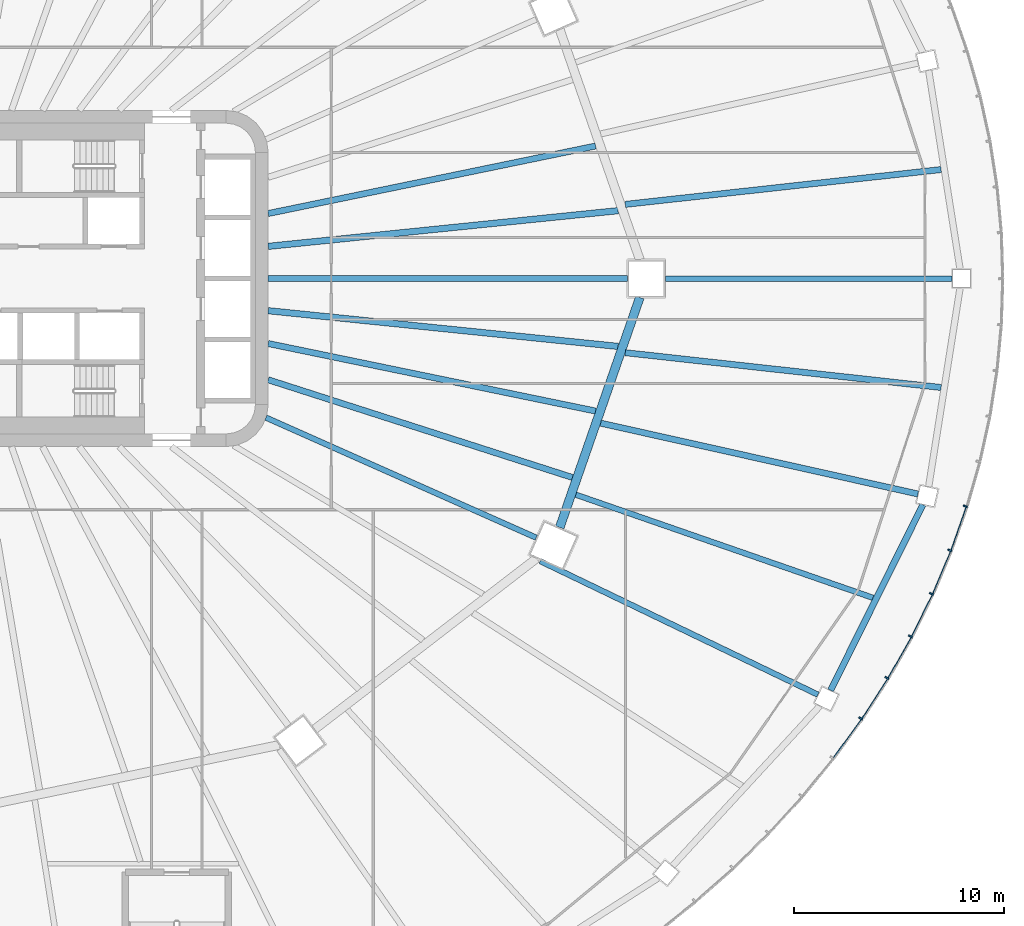
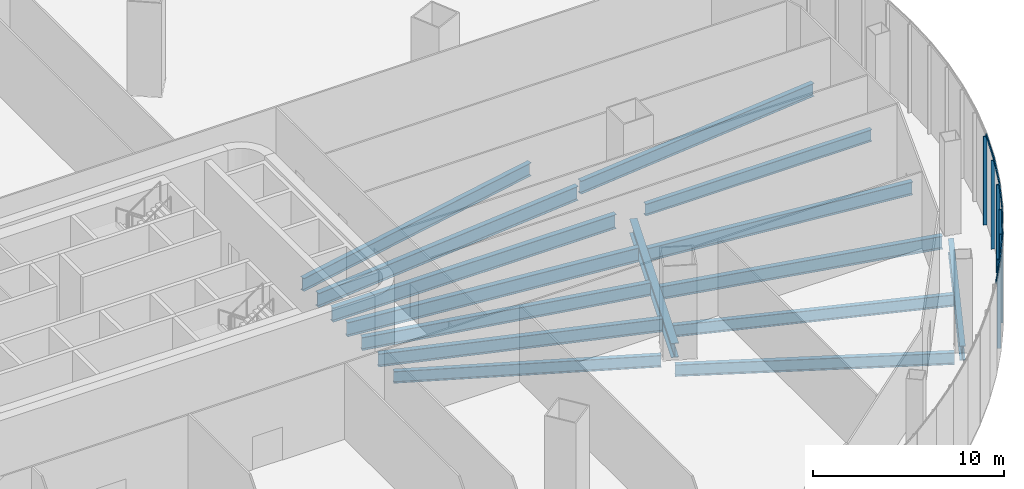
# One storey, part 10 of 37: 15 beams, 12 members, 3 elements without a shape of their own.
"""IFC4 building model written with IfcOpenShell, lengths in metres."""

import ifcopenshell
import ifcopenshell.guid

model = None  # the IFC model being written
_history = None  # IfcOwnerHistory: only IFC2X3 demands one
_inside = {}  # id of a spatial element -> (the spatial element, [elements in it])
_under = {}  # id of a project, library or spatial element -> (it, [spatial elements below it])
_declared = {}  # id of a project -> (the project, [libraries it declares])
_typed = {}  # id of a type object -> (the type object, [elements of that type])
_made_of = {}  # id of a material, layer set ... -> (it, [elements and type objects made of it])


def new_model(schema):
    """Start an empty IFC model of exactly this schema.

    Asked for "IFC4X3", IfcOpenShell would pick the latest addendum, in which some entities
    have other attributes; the version numbers below select the first issue.
    IFC2X3 requires an IfcOwnerHistory on every rooted entity: one is made here for all.
    """
    global model, _history
    if schema == "IFC4X3":
        model = ifcopenshell.file(schema_version=(4, 3, 0, 0))
    else:
        model = ifcopenshell.file(schema=schema)
    _inside.clear()
    _under.clear()
    _declared.clear()
    _typed.clear()
    _made_of.clear()
    _history = None
    if model.schema == "IFC2X3":
        org = make("IfcOrganization", Name="unknown")
        user = make(
            "IfcPersonAndOrganization",
            ThePerson=make("IfcPerson", FamilyName="unknown"),
            TheOrganization=org,
        )
        app = make(
            "IfcApplication",
            ApplicationDeveloper=org,
            Version="unknown",
            ApplicationFullName="unknown",
            ApplicationIdentifier="unknown",
        )
        _history = make(
            "IfcOwnerHistory",
            OwningUser=user,
            OwningApplication=app,
            ChangeAction="ADDED",
            CreationDate=0,
        )
    return model


def make(cls, **values):
    """One entity of the class cls with the attributes given. An attribute that is None is left unset."""
    return model.create_entity(
        cls, **{name: value for name, value in values.items() if value is not None}
    )


def rooted(cls, **values):
    """An entity with a GlobalId (a new one), such as an element, a storey or a relation."""
    return make(cls, GlobalId=ifcopenshell.guid.new(), OwnerHistory=_history, **values)


def si_unit(unit_type, name, prefix=None):
    """IfcSIUnit, for example si_unit("LENGTHUNIT", "METRE", prefix="MILLI")."""
    return make("IfcSIUnit", UnitType=unit_type, Prefix=prefix, Name=name)


def assignment(units):
    """IfcUnitAssignment: the units of a project."""
    return None if units is None else make("IfcUnitAssignment", Units=units)


def point(xyz):
    """IfcCartesianPoint."""
    return None if xyz is None else make("IfcCartesianPoint", Coordinates=xyz)


def direction(xyz):
    """IfcDirection."""
    return None if xyz is None else make("IfcDirection", DirectionRatios=xyz)


def frame(location, z_axis=None, x_axis=None):
    """IfcAxis2Placement3D, a coordinate frame: its origin and axes. An axis left out is left unset."""
    return make(
        "IfcAxis2Placement3D",
        Location=point(location),
        Axis=direction(z_axis),
        RefDirection=direction(x_axis),
    )


def frame_2d(location, x_axis=None):
    """IfcAxis2Placement2D, a coordinate frame in the plane: its origin and x axis."""
    return make(
        "IfcAxis2Placement2D", Location=point(location), RefDirection=direction(x_axis)
    )


def origin():
    """The frame at (0, 0, 0) with its axes left unset."""
    return frame((0.0, 0.0, 0.0))


def origin_2d():
    """The frame at (0, 0) in the plane with its x axis left unset."""
    return frame_2d((0.0, 0.0))


def place(relative_to, where):
    """IfcLocalPlacement: puts the frame where relative to a parent placement (None: the world)."""
    return make(
        "IfcLocalPlacement", PlacementRelTo=relative_to, RelativePlacement=where
    )


def context(
    kind, dimensions, precision=None, world=None, true_north=None, identifier=None
):
    """IfcGeometricRepresentationContext, for example the 3D "Model" context."""
    return make(
        "IfcGeometricRepresentationContext",
        ContextIdentifier=identifier,
        ContextType=kind,
        CoordinateSpaceDimension=dimensions,
        Precision=precision,
        WorldCoordinateSystem=world,
        TrueNorth=true_north,
    )


def subcontext(parent, identifier, kind, view, scale=None):
    """IfcGeometricRepresentationSubContext, for example "Body" below "Model"."""
    return make(
        "IfcGeometricRepresentationSubContext",
        ContextIdentifier=identifier,
        ContextType=kind,
        ParentContext=parent,
        TargetScale=scale,
        TargetView=view,
    )


def project(units=None, contexts=None):
    """IfcProject with its units and contexts."""
    return rooted(
        "IfcProject",
        Name="project",
        RepresentationContexts=contexts,
        UnitsInContext=assignment(units),
    )


def spatial(cls, under=None, at=None, **own):
    """A site, building, storey or space (cls), placed at a placement, below another one or the project."""
    s = rooted(cls, ObjectPlacement=at, **own)
    if under is not None:
        _under.setdefault(under.id(), (under, []))[1].append(s)
    return s


def profile(cls, at=None, kind="AREA", **sizes):
    """A parametric profile (cls). Its sizes go by their IFC names, for example OverallWidth=200.0."""
    return make(cls, ProfileType=kind, Position=at, **sizes)


def rectangle(**sizes):
    """IfcRectangleProfileDef."""
    return profile("IfcRectangleProfileDef", **sizes)


def i_section(**sizes):
    """IfcIShapeProfileDef."""
    return profile("IfcIShapeProfileDef", **sizes)


def extrude(swept, where, along, depth):
    """IfcExtrudedAreaSolid: the profile swept, set in the frame where, extruded along a direction by depth."""
    return make(
        "IfcExtrudedAreaSolid",
        SweptArea=swept,
        Position=where,
        ExtrudedDirection=direction(along),
        Depth=depth,
    )


def shape(context_of_items, identifier, shape_type, items):
    """IfcShapeRepresentation: the items that make up one representation, for example the "Body"."""
    return make(
        "IfcShapeRepresentation",
        ContextOfItems=context_of_items,
        RepresentationIdentifier=identifier,
        RepresentationType=shape_type,
        Items=items,
    )


def material(Name=None, Category=None):
    """IfcMaterial."""
    return make("IfcMaterial", Name=Name, Category=Category)


def layer(
    of_material, thickness, ventilated=None, Name=None, Category=None, Priority=None
):
    """IfcMaterialLayer: one layer of a wall or slab, of a material (None: an air gap)."""
    return make(
        "IfcMaterialLayer",
        Material=of_material,
        LayerThickness=thickness,
        IsVentilated=ventilated,
        Name=Name,
        Category=Category,
        Priority=Priority,
    )


def layer_set(layers, Name=None):
    """IfcMaterialLayerSet."""
    return make("IfcMaterialLayerSet", MaterialLayers=layers, LayerSetName=Name)


def material_profile(
    of_material, cross_section, Name=None, Category=None, Priority=None
):
    """IfcMaterialProfile: a cross section and its material."""
    return make(
        "IfcMaterialProfile",
        Name=Name,
        Material=of_material,
        Profile=cross_section,
        Priority=Priority,
        Category=Category,
    )


def profile_set(profiles, Name=None, composite=None):
    """IfcMaterialProfileSet."""
    return make(
        "IfcMaterialProfileSet",
        Name=Name,
        MaterialProfiles=profiles,
        CompositeProfile=composite,
    )


def made_of(thing, what):
    """Note that an element or type object is made of a material, layer set ...; save() writes the relation."""
    if what is not None:
        _made_of.setdefault(what.id(), (what, []))[1].append(thing)
    return thing


def type_object(cls, material=None, **own):
    """A type object (cls), such as IfcWallType, which elements share."""
    return made_of(rooted(cls, **own), material)


def element(
    cls,
    number,
    at=None,
    inside=None,
    cuts=None,
    type_object=None,
    material=None,
    context=None,
    identifier="Body",
    shape_type=None,
    held_by="IfcProductDefinitionShape",
    body=None,
    shapes=None,
    **own,
):
    """One element of the class cls, such as IfcWall. Its Tag is "e" and its number.

    at: its placement. inside: the storey or other place that contains it. cuts: it is an
    opening in that element (IfcRelVoidsElement). A single representation is given by context,
    identifier, shape_type and body (its items); several are given by shapes. held_by: the class
    of the entity that holds the representations. save() writes the other relations.
    """
    e = rooted(cls, Tag="e%d" % number, ObjectPlacement=at, **own)
    if body is not None:
        shapes = [shape(context, identifier, shape_type, body)]
    if shapes is not None:
        e.Representation = make(held_by, Representations=shapes)
    if inside is not None:
        _inside.setdefault(inside.id(), (inside, []))[1].append(e)
    if cuts is not None:
        rooted(
            "IfcRelVoidsElement", RelatingBuildingElement=cuts, RelatedOpeningElement=e
        )
    if type_object is not None:
        _typed.setdefault(type_object.id(), (type_object, []))[1].append(e)
    return made_of(e, material)


def aggregate(whole, parts):
    """IfcRelAggregates: a whole, such as a stair, and the parts it consists of."""
    return rooted("IfcRelAggregates", RelatingObject=whole, RelatedObjects=parts)


def save(model, path):
    """Write the relations noted so far, then the file.

    IfcRelAggregates (storeys below a building ...), IfcRelContainedInSpatialStructure (elements
    in a storey), IfcRelDefinesByType, IfcRelAssociatesMaterial and IfcRelDeclares: one each for
    every whole, place, type object, material and project.
    """
    for whole, parts in _under.values():
        aggregate(whole, parts)
    for where, things in _inside.values():
        rooted(
            "IfcRelContainedInSpatialStructure",
            RelatedElements=things,
            RelatingStructure=where,
        )
    for kind, things in _typed.values():
        rooted("IfcRelDefinesByType", RelatedObjects=things, RelatingType=kind)
    for what, things in _made_of.values():
        rooted("IfcRelAssociatesMaterial", RelatedObjects=things, RelatingMaterial=what)
    for by, libraries in _declared.values():
        rooted("IfcRelDeclares", RelatingContext=by, RelatedDefinitions=libraries)
    model.write(path)


model = new_model("IFC4")

# Units and contexts
model_context = context("Model", 3, precision=1e-05, world=origin(), true_north=direction((0.0, 1.0)))
body_context = subcontext(model_context, "Body", "Model", "MODEL_VIEW")
ifc_project = project(units=[si_unit("LENGTHUNIT", "METRE"), si_unit("AREAUNIT", "SQUARE_METRE"), si_unit("VOLUMEUNIT", "CUBIC_METRE"), si_unit("PLANEANGLEUNIT", "RADIAN"), si_unit("MASSUNIT", "GRAM", prefix="KILO")], contexts=[model_context])

# Site, building, storey
site_placement = place(None, origin())
site = spatial("IfcSite", under=ifc_project, at=site_placement, CompositionType="ELEMENT")
building_placement = place(site_placement, origin())
building = spatial("IfcBuilding", under=site, at=building_placement, Name="Sahrelin Media Tower", CompositionType="ELEMENT")
storey_placement = place(building_placement, frame((0.0, 0.0, 31.39990234375)))
storey = spatial("IfcBuildingStorey", under=building, at=storey_placement, Name="L04", CompositionType="ELEMENT", Elevation=31.39990234375)

# Curtain wall, members
ifc_material_1 = material(Name="Champagne anodised aluminium 6063-T6", Category="aluminium")
ifc_layer = layer(ifc_material_1, 0.14990234375)
ifc_layer_set = layer_set([ifc_layer], Name="Podium ribbon curtain wall")
curtain_wall_type = type_object("IfcCurtainWallType", Name="Podium ribbon curtain wall", PredefinedType="NOTDEFINED", material=ifc_layer_set)
curtain_wall_1_placement = place(storey_placement, frame((43.30126953125, -21.0, 0.0), z_axis=(0.0, 0.0, 1.0), x_axis=(1.0, 0.0, 0.0)))
curtain_wall_1 = element("IfcCurtainWall", 1, at=curtain_wall_1_placement, inside=storey, type_object=curtain_wall_type, Name="L04:CW:L04-P22", PredefinedType="NOTDEFINED")
ifc_material_profile_1 = material_profile(ifc_material_1, rectangle(XDim=0.080078125, YDim=0.199951171875, at=origin_2d()), Name="Mullion 80x200")
ifc_profile_set_1 = profile_set([ifc_material_profile_1], Name="Champagne anodised aluminium 6063-T6")
member_type_1 = type_object("IfcMemberType", Name="Mullion 80x200 CW5", PredefinedType="MULLION", material=ifc_profile_set_1)
member_1_placement = place(storey_placement, frame((43.200439453125, -20.934814453125, 0.0), z_axis=(0.0, 0.0, 1.0), x_axis=(0.542830032192, 0.839842578196, 0.0)))
member_1 = element("IfcMember", 2, at=member_1_placement, type_object=member_type_1, Name="L04:CWM1:L04-P22", PredefinedType="MULLION", context=body_context, shape_type="SweptSolid", body=[
    extrude(rectangle(XDim=0.080078125, YDim=0.199951171875, at=origin_2d()), origin(), (0.0, 0.0, 1.0), 5.650146484375),
])
member_2_placement = place(storey_placement, frame((44.446044921875, -19.00830078125, 0.0), z_axis=(0.0, 0.0, 1.0), x_axis=(0.493787068155, 0.869582849028, 0.0)))
member_2 = element("IfcMember", 3, at=member_2_placement, type_object=member_type_1, Name="L04:CWM2:L04-P22", PredefinedType="MULLION", context=body_context, shape_type="SweptSolid", body=[
    extrude(rectangle(XDim=0.080078125, YDim=0.199951171875, at=origin_2d()), origin(), (0.0, 0.0, 1.0), 5.650146484375),
])
member_3_placement = place(storey_placement, frame((45.569580078125, -17.02978515625, 0.0), z_axis=(0.0, 0.0, 1.0), x_axis=(0.442262079274, 0.896885864108, 0.0)))
member_3 = element("IfcMember", 4, at=member_3_placement, type_object=member_type_1, Name="L04:CWM3:L04-P22", PredefinedType="MULLION", context=body_context, shape_type="SweptSolid", body=[
    extrude(rectangle(XDim=0.080078125, YDim=0.199951171875, at=origin_2d()), origin(), (0.0, 0.0, 1.0), 5.650146484375),
])
member_4_placement = place(storey_placement, frame((46.568359375, -15.0048828125, 0.0), z_axis=(0.0, 0.0, 1.0), x_axis=(0.388450189752, 0.921469722824, 0.0)))
member_4 = element("IfcMember", 5, at=member_4_placement, type_object=member_type_1, Name="L04:CWM4:L04-P22", PredefinedType="MULLION", context=body_context, shape_type="SweptSolid", body=[
    extrude(rectangle(XDim=0.080078125, YDim=0.199951171875, at=origin_2d()), origin(), (0.0, 0.0, 1.0), 5.650146484375),
])
member_5_placement = place(storey_placement, frame((47.439697265625, -12.938720703125, 0.0), z_axis=(0.0, 0.0, 1.0), x_axis=(0.332579242691, 0.943075313711, 0.0)))
member_5 = element("IfcMember", 6, at=member_5_placement, type_object=member_type_1, Name="L04:CWM5:L04-P22", PredefinedType="MULLION", context=body_context, shape_type="SweptSolid", body=[
    extrude(rectangle(XDim=0.080078125, YDim=0.199951171875, at=origin_2d()), origin(), (0.0, 0.0, 1.0), 5.650146484375),
])

# Curtain wall, member
curtain_wall_2_placement = place(storey_placement, frame((48.29638671875, -10.870361328125, 0.0), z_axis=(0.0, 0.0, 1.0), x_axis=(1.0, 0.0, 0.0)))
curtain_wall_2 = element("IfcCurtainWall", 7, at=curtain_wall_2_placement, inside=storey, type_object=curtain_wall_type, Name="L04:CW:L04-P23", PredefinedType="NOTDEFINED")
member_6_placement = place(storey_placement, frame((48.180908203125, -10.83740234375, 0.0), z_axis=(0.0, 0.0, 1.0), x_axis=(0.274810138831, 0.961498511489, 0.0)))
member_6 = element("IfcMember", 8, at=member_6_placement, type_object=member_type_1, Name="L04:CWM1:L04-P23", PredefinedType="MULLION", context=body_context, shape_type="SweptSolid", body=[
    extrude(rectangle(XDim=0.080078125, YDim=0.199951171875, at=origin_2d()), origin(), (0.0, 0.0, 1.0), 5.650146484375),
])
aggregate(curtain_wall_2, [member_6])

# Beams
ifc_material_2 = material(Name="Steel S355", Category="steel")
ifc_material_profile_2 = material_profile(ifc_material_2, i_section(OverallWidth=0.30322265625, OverallDepth=0.903076171875, WebThickness=0.01513671875, FlangeThickness=0.020263671875, FilletRadius=0.01904296875, at=origin_2d()), Name="UB 914x305x201")
ifc_profile_set_2 = profile_set([ifc_material_profile_2], Name="Steel S355")
beam_type_1 = type_object("IfcBeamType", Name="Podium edge girder PE11", PredefinedType="BEAM", material=ifc_profile_set_2)
beam_1_placement = place(storey_placement, frame((41.76953125, -19.596923828125, -0.6513671875), z_axis=(0.445112588569, 0.895474613541, 0.0), x_axis=(-0.895474613541, 0.445112588569, 0.0)))
element("IfcBeam", 9, at=beam_1_placement, inside=storey, type_object=beam_type_1, Name="Podium edge girder L04-23", PredefinedType="BEAM", context=body_context, shape_type="SweptSolid", body=[
    extrude(i_section(OverallWidth=0.30322265625, OverallDepth=0.903076171875, WebThickness=0.01513671875, FlangeThickness=0.020263671875, FilletRadius=0.01904296875, at=origin_2d()), origin(), (0.0, 0.0, 1.0), 9.859619140625),
])
ifc_material_profile_3 = material_profile(ifc_material_2, i_section(OverallWidth=0.41845703125, OverallDepth=0.911865234375, WebThickness=0.019287109375, FlangeThickness=0.031982421875, FilletRadius=0.024169921875, at=origin_2d()), Name="UB 914x419x343")
ifc_profile_set_3 = profile_set([ifc_material_profile_3], Name="Steel S355")
beam_type_2 = type_object("IfcBeamType", Name="Podium ring girder PG12", PredefinedType="BEAM", material=ifc_profile_set_3)
beam_2_placement = place(storey_placement, frame((28.875732421875, -11.84716796875, -0.65576171875), z_axis=(0.328773851324, 0.944408679908, 0.0), x_axis=(-0.944408679908, 0.328773851324, 0.0)))
element("IfcBeam", 10, at=beam_2_placement, inside=storey, type_object=beam_type_2, Name="Podium girder L04-12", PredefinedType="BEAM", context=body_context, shape_type="SweptSolid", body=[
    extrude(i_section(OverallWidth=0.41845703125, OverallDepth=0.911865234375, WebThickness=0.019287109375, FlangeThickness=0.031982421875, FilletRadius=0.024169921875, at=origin_2d()), origin(), (0.0, 0.0, 1.0), 11.591552734375),
])
ifc_material_profile_4 = material_profile(ifc_material_2, i_section(OverallWidth=0.291748046875, OverallDepth=0.8349609375, WebThickness=0.013916015625, FlangeThickness=0.018798828125, FilletRadius=0.017822265625, at=origin_2d()), Name="UB 838x292x176")
ifc_profile_set_4 = profile_set([ifc_material_profile_4], Name="Steel S355")
beam_type_3 = type_object("IfcBeamType", Name="Radial primary beam PB10", PredefinedType="BEAM", material=ifc_profile_set_4)
for number, where, z_axis, x_axis, name in (
    (11, (15.0, 3.093505859375, -0.6171875), (0.979386832716, 0.201993643221, 0.0), (-0.201993643221, 0.979386832716, 0.0), "Radial beam L04-02"),
    (12, (15.0, -3.093505859375, -0.6171875), (0.979386832716, -0.201993643221, 0.0), (0.201993643221, 0.979386832716, 0.0), "Radial beam L04-24"),
):
    element("IfcBeam", number, at=place(storey_placement, frame(where, z_axis=z_axis, x_axis=x_axis)), inside=storey, type_object=beam_type_3, Name=name, PredefinedType="BEAM", context=body_context, shape_type="SweptSolid", body=[
        extrude(i_section(OverallWidth=0.291748046875, OverallDepth=0.8349609375, WebThickness=0.013916015625, FlangeThickness=0.018798828125, FilletRadius=0.017822265625, at=origin_2d()), origin(), (0.0, 0.0, 1.0), 15.91064453125),
    ])
beam_3_placement = place(storey_placement, frame((30.825439453125, -6.883056640625, -0.6171875), z_axis=(0.975966755314, -0.217919463385, 0.0), x_axis=(0.217919463385, 0.975966755314, 0.0)))
element("IfcBeam", 13, at=beam_3_placement, inside=storey, type_object=beam_type_3, Name="Radial beam L04-28", PredefinedType="BEAM", context=body_context, shape_type="SweptSolid", body=[
    extrude(i_section(OverallWidth=0.291748046875, OverallDepth=0.8349609375, WebThickness=0.013916015625, FlangeThickness=0.018798828125, FilletRadius=0.017822265625, at=origin_2d()), origin(), (0.0, 0.0, 1.0), 15.4716796875),
])
ifc_material_profile_5 = material_profile(ifc_material_2, i_section(OverallWidth=0.30322265625, OverallDepth=0.903076171875, WebThickness=0.01513671875, FlangeThickness=0.020263671875, FilletRadius=0.01904296875, at=origin_2d()), Name="UB 914x305x201")
ifc_profile_set_5 = profile_set([ifc_material_profile_5], Name="Steel S355")
beam_type_4 = type_object("IfcBeamType", Name="Radial primary beam PB11", PredefinedType="BEAM", material=ifc_profile_set_5)
beam_4_placement = place(storey_placement, frame((15.0, 0.0, -0.6513671875), z_axis=(1.0, 0.0, 0.0), x_axis=(0.0, 1.0, 0.0)))
element("IfcBeam", 14, at=beam_4_placement, inside=storey, type_object=beam_type_4, Name="Radial beam L04-01", PredefinedType="BEAM", context=body_context, shape_type="SweptSolid", body=[
    extrude(i_section(OverallWidth=0.30322265625, OverallDepth=0.903076171875, WebThickness=0.01513671875, FlangeThickness=0.020263671875, FilletRadius=0.01904296875, at=origin_2d()), origin(), (0.0, 0.0, 1.0), 17.10009765625),
])
ifc_material_profile_6 = material_profile(ifc_material_2, i_section(OverallWidth=0.26513671875, OverallDepth=0.75390625, WebThickness=0.0126953125, FlangeThickness=0.017578125, FilletRadius=0.0166015625, at=origin_2d()), Name="UB 762x267x147")
ifc_profile_set_6 = profile_set([ifc_material_profile_6], Name="Steel S355")
beam_type_5 = type_object("IfcBeamType", Name="Radial primary beam PB9", PredefinedType="BEAM", material=ifc_profile_set_6)
beam_5_placement = place(storey_placement, frame((14.890625, -6.6171875, -0.576904296875), z_axis=(0.913833000058, -0.406090196883, 0.0), x_axis=(0.406090196883, 0.913833000058, 0.0)))
element("IfcBeam", 15, at=beam_5_placement, inside=storey, type_object=beam_type_5, Name="Radial beam L04-23", PredefinedType="BEAM", context=body_context, shape_type="SweptSolid", body=[
    extrude(i_section(OverallWidth=0.26513671875, OverallDepth=0.75390625, WebThickness=0.0126953125, FlangeThickness=0.017578125, FilletRadius=0.0166015625, at=origin_2d()), origin(), (0.0, 0.0, 1.0), 14.078857421875),
])
beam_6_placement = place(storey_placement, frame((33.89990234375, 0.0, -0.576904296875), z_axis=(1.0, 0.0, 0.0), x_axis=(0.0, 1.0, 0.0)))
element("IfcBeam", 16, at=beam_6_placement, inside=storey, type_object=beam_type_5, Name="Radial beam L04-01", PredefinedType="BEAM", context=body_context, shape_type="SweptSolid", body=[
    extrude(i_section(OverallWidth=0.26513671875, OverallDepth=0.75390625, WebThickness=0.0126953125, FlangeThickness=0.017578125, FilletRadius=0.0166015625, at=origin_2d()), origin(), (0.0, 0.0, 1.0), 13.650146484375),
])
beam_7_placement = place(storey_placement, frame((27.950439453125, -13.44775390625, -0.576904296875), z_axis=(0.901130102072, -0.433548773657, 0.0), x_axis=(0.433548773657, 0.901130102072, 0.0)))
element("IfcBeam", 17, at=beam_7_placement, inside=storey, type_object=beam_type_5, Name="Radial beam L04-27", PredefinedType="BEAM", context=body_context, shape_type="SweptSolid", body=[
    extrude(i_section(OverallWidth=0.26513671875, OverallDepth=0.75390625, WebThickness=0.0126953125, FlangeThickness=0.017578125, FilletRadius=0.0166015625, at=origin_2d()), origin(), (0.0, 0.0, 1.0), 14.6630859375),
])
ifc_material_profile_7 = material_profile(ifc_material_2, i_section(OverallWidth=0.291748046875, OverallDepth=0.8349609375, WebThickness=0.013916015625, FlangeThickness=0.018798828125, FilletRadius=0.017822265625, at=origin_2d()), Name="UB 838x292x176")
ifc_profile_set_7 = profile_set([ifc_material_profile_7], Name="Steel S355")
beam_type_6 = type_object("IfcBeamType", Name="Radial secondary beam SB10", PredefinedType="BEAM", material=ifc_profile_set_7)
beam_8_placement = place(storey_placement, frame((15.0, -4.81787109375, -0.6171875), z_axis=(0.952096340592, -0.305798231244, 0.0), x_axis=(0.305798231244, 0.952096340592, 0.0)))
element("IfcBeam", 18, at=beam_8_placement, inside=storey, type_object=beam_type_6, Name="Secondary beam L04-23", PredefinedType="BEAM", context=body_context, shape_type="SweptSolid", body=[
    extrude(i_section(OverallWidth=0.291748046875, OverallDepth=0.8349609375, WebThickness=0.013916015625, FlangeThickness=0.018798828125, FilletRadius=0.017822265625, at=origin_2d()), origin(), (0.0, 0.0, 1.0), 15.210693359375),
])
for number, where, z_axis, x_axis, name in (
    (19, (31.9931640625, 3.528564453125, -0.6171875), (0.993973950123, 0.109616542901, 0.0), (-0.109616542901, 0.993973950123, 0.0), "Secondary beam L04-01"),
    (20, (31.9931640625, -3.528564453125, -0.6171875), (0.993973950123, -0.109616542901, 0.0), (0.109616542901, 0.993973950123, 0.0), "Secondary beam L04-24"),
):
    element("IfcBeam", number, at=place(storey_placement, frame(where, z_axis=z_axis, x_axis=x_axis)), inside=storey, type_object=beam_type_6, Name=name, PredefinedType="BEAM", context=body_context, shape_type="SweptSolid", body=[
        extrude(i_section(OverallWidth=0.291748046875, OverallDepth=0.8349609375, WebThickness=0.013916015625, FlangeThickness=0.018798828125, FilletRadius=0.017822265625, at=origin_2d()), origin(), (0.0, 0.0, 1.0), 15.125),
    ])
ifc_material_profile_8 = material_profile(ifc_material_2, i_section(OverallWidth=0.30322265625, OverallDepth=0.903076171875, WebThickness=0.01513671875, FlangeThickness=0.020263671875, FilletRadius=0.01904296875, at=origin_2d()), Name="UB 914x305x201")
ifc_profile_set_8 = profile_set([ifc_material_profile_8], Name="Steel S355")
beam_type_7 = type_object("IfcBeamType", Name="Radial secondary beam SB11", PredefinedType="BEAM", material=ifc_profile_set_8)
for number, where, z_axis, x_axis, name in (
    (21, (15.0, 1.53076171875, -0.6513671875), (0.994833571419, 0.10151928476, 0.0), (-0.10151928476, 0.994833571419, 0.0), "Secondary beam L04-01"),
    (22, (15.0, -1.53076171875, -0.6513671875), (0.994833571419, -0.10151928476, 0.0), (0.10151928476, 0.994833571419, 0.0), "Secondary beam L04-24"),
):
    element("IfcBeam", number, at=place(storey_placement, frame(where, z_axis=z_axis, x_axis=x_axis)), inside=storey, type_object=beam_type_7, Name=name, PredefinedType="BEAM", context=body_context, shape_type="SweptSolid", body=[
        extrude(i_section(OverallWidth=0.30322265625, OverallDepth=0.903076171875, WebThickness=0.01513671875, FlangeThickness=0.020263671875, FilletRadius=0.01904296875, at=origin_2d()), origin(), (0.0, 0.0, 1.0), 16.740234375),
    ])
ifc_material_profile_9 = material_profile(ifc_material_2, i_section(OverallWidth=0.26513671875, OverallDepth=0.75390625, WebThickness=0.0126953125, FlangeThickness=0.017578125, FilletRadius=0.0166015625, at=origin_2d()), Name="UB 762x267x147")
ifc_profile_set_9 = profile_set([ifc_material_profile_9], Name="Steel S355")
beam_type_8 = type_object("IfcBeamType", Name="Radial secondary beam SB9", PredefinedType="BEAM", material=ifc_profile_set_9)
beam_9_placement = place(storey_placement, frame((29.640380859375, -10.287109375, -0.576904296875), z_axis=(0.944713020182, -0.32789832189, 0.0), x_axis=(0.32789832189, 0.944713020182, 0.0)))
element("IfcBeam", 23, at=beam_9_placement, inside=storey, type_object=beam_type_8, Name="Secondary beam L04-23", PredefinedType="BEAM", context=body_context, shape_type="SweptSolid", body=[
    extrude(i_section(OverallWidth=0.26513671875, OverallDepth=0.75390625, WebThickness=0.0126953125, FlangeThickness=0.017578125, FilletRadius=0.0166015625, at=origin_2d()), origin(), (0.0, 0.0, 1.0), 14.974609375),
])

# Curtain wall, member
curtain_wall_3_placement = place(storey_placement, frame((35.355224609375, -29.698486328125, 0.0), z_axis=(0.0, 0.0, 1.0), x_axis=(1.0, 0.0, 0.0)))
curtain_wall_3 = element("IfcCurtainWall", 24, at=curtain_wall_3_placement, inside=storey, type_object=curtain_wall_type, Name="L04:CW:L04-P21", PredefinedType="NOTDEFINED")
ifc_material_profile_10 = material_profile(ifc_material_1, rectangle(XDim=0.06005859375, YDim=0.14990234375, at=origin_2d()), Name="Transom 60x150")
ifc_profile_set_10 = profile_set([ifc_material_profile_10], Name="Champagne anodised aluminium 6063-T6")
member_type_2 = type_object("IfcMemberType", Name="Transom 60x150 CW5", PredefinedType="USERDEFINED", material=ifc_profile_set_10)
member_7_placement = place(storey_placement, frame((41.922607421875, -22.804931640625, 5.72509765625), z_axis=(0.589385639376, 0.807851823107, 0.0), x_axis=(-0.807851823107, 0.589385639376, 0.0)))
member_7 = element("IfcMember", 25, at=member_7_placement, type_object=member_type_2, Name="L04:CWT5a:L04-P21", ObjectType="TRANSOM", PredefinedType="USERDEFINED", context=body_context, shape_type="SweptSolid", body=[
    extrude(rectangle(XDim=0.06005859375, YDim=0.14990234375, at=origin_2d()), origin(), (0.0, 0.0, 1.0), 2.270751953125),
])
aggregate(curtain_wall_3, [member_7])

# Member
member_8_placement = place(storey_placement, frame((43.286376953125, -20.930908203125, 5.72509765625), z_axis=(0.542855461476, 0.8398261415, 0.0), x_axis=(-0.8398261415, 0.542855461476, 0.0)))
member_8 = element("IfcMember", 26, at=member_8_placement, type_object=member_type_2, Name="L04:CWT1a:L04-P22", ObjectType="TRANSOM", PredefinedType="USERDEFINED", context=body_context, shape_type="SweptSolid", body=[
    extrude(rectangle(XDim=0.06005859375, YDim=0.14990234375, at=origin_2d()), origin(), (0.0, 0.0, 1.0), 2.2509765625),
])

member_9_placement = place(storey_placement, frame((44.531494140625, -18.99951171875, 5.72509765625), z_axis=(0.49374634774, 0.869605970594, 0.0), x_axis=(-0.869605970594, 0.49374634774, 0.0)))
member_9 = element("IfcMember", 27, at=member_9_placement, type_object=member_type_2, Name="L04:CWT2a:L04-P22", ObjectType="TRANSOM", PredefinedType="USERDEFINED", context=body_context, shape_type="SweptSolid", body=[
    extrude(rectangle(XDim=0.06005859375, YDim=0.14990234375, at=origin_2d()), origin(), (0.0, 0.0, 1.0), 2.232421875),
])

member_10_placement = place(storey_placement, frame((45.654541015625, -17.015869140625, 5.72509765625), z_axis=(0.442313130509, 0.896860688501, 0.0), x_axis=(-0.896860688501, 0.442313130509, 0.0)))
member_10 = element("IfcMember", 28, at=member_10_placement, type_object=member_type_2, Name="L04:CWT3a:L04-P22", ObjectType="TRANSOM", PredefinedType="USERDEFINED", context=body_context, shape_type="SweptSolid", body=[
    extrude(rectangle(XDim=0.06005859375, YDim=0.14990234375, at=origin_2d()), origin(), (0.0, 0.0, 1.0), 2.215087890625),
])

member_11_placement = place(storey_placement, frame((46.65234375, -14.986083984375, 5.72509765625), z_axis=(0.388379521363, 0.921499510247, 0.0), x_axis=(-0.921499510247, 0.388379521363, 0.0)))
member_11 = element("IfcMember", 29, at=member_11_placement, type_object=member_type_2, Name="L04:CWT4a:L04-P22", ObjectType="TRANSOM", PredefinedType="USERDEFINED", context=body_context, shape_type="SweptSolid", body=[
    extrude(rectangle(XDim=0.06005859375, YDim=0.14990234375, at=origin_2d()), origin(), (0.0, 0.0, 1.0), 2.199462890625),
])

member_12_placement = place(storey_placement, frame((47.522216796875, -12.914794921875, 5.72509765625), z_axis=(0.332568838179, 0.943078982839, 0.0), x_axis=(-0.943078982839, 0.332568838179, 0.0)))
member_12 = element("IfcMember", 30, at=member_12_placement, type_object=member_type_2, Name="L04:CWT5a:L04-P22", ObjectType="TRANSOM", PredefinedType="USERDEFINED", context=body_context, shape_type="SweptSolid", body=[
    extrude(rectangle(XDim=0.06005859375, YDim=0.14990234375, at=origin_2d()), origin(), (0.0, 0.0, 1.0), 2.185546875),
])

aggregate(curtain_wall_1, [member_1, member_8, member_2, member_9, member_3, member_10, member_4, member_11, member_5, member_12])

save(model, "model.ifc")
